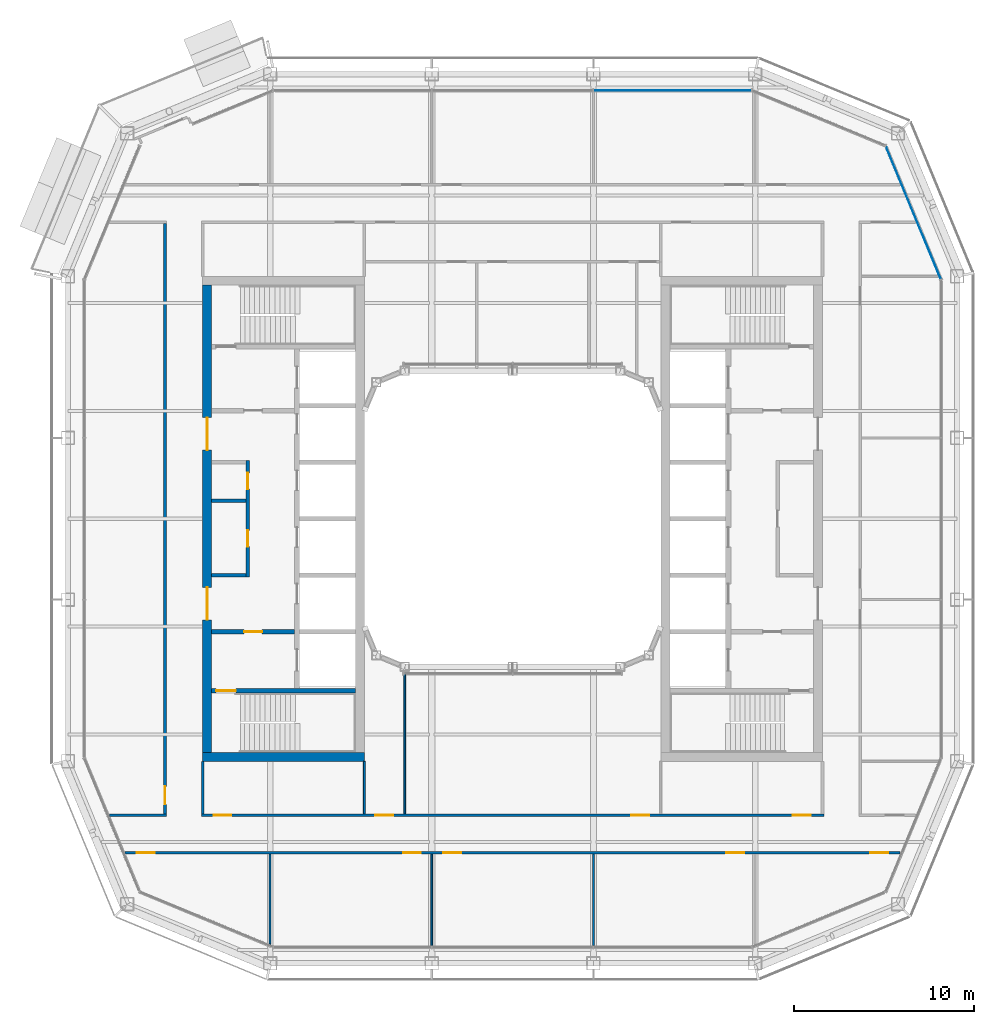
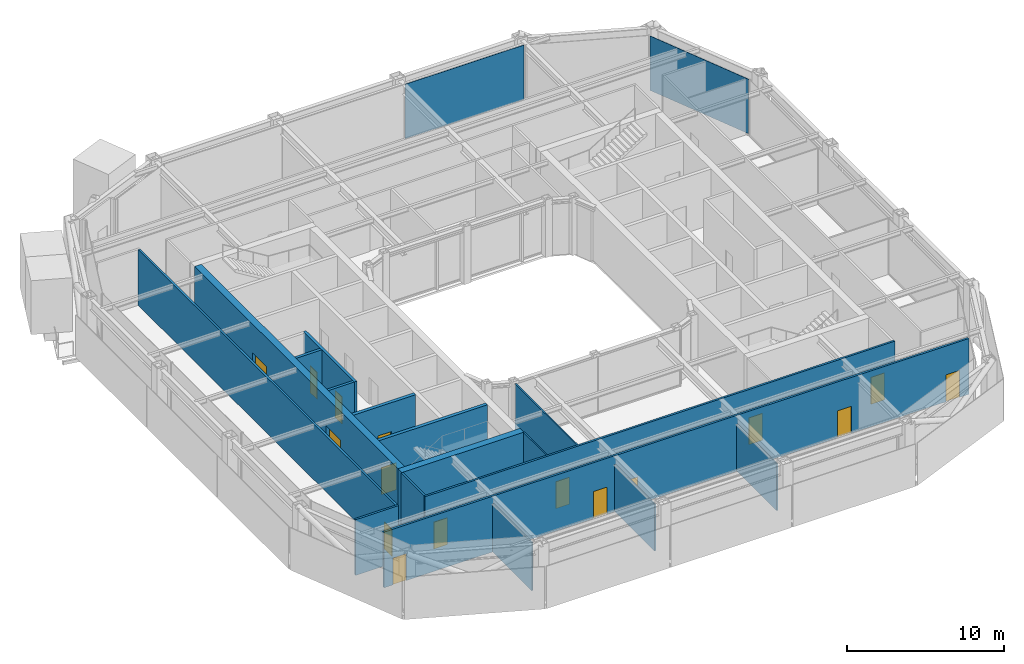
# One storey, part 11 of 21: 17 walls, 16 doors, 2 plates, 16 openings, 2 elements without a shape of their own.
"""IFC4 building model written with IfcOpenShell, lengths in metres."""

from ifc_helpers import new_model, si_unit, direction, frame, frame_2d, origin, origin_2d, place, context, subcontext, project, spatial, rectangle, extrude, material, layer, layer_set, type_object, element, fill, aggregate, save


model = new_model("IFC4")

# Units and contexts
model_context = context("Model", 3, precision=1e-05, world=origin(), true_north=direction((0.0, 1.0)))
body_context = subcontext(model_context, "Body", "Model", "MODEL_VIEW")
ifc_project = project(units=[si_unit("LENGTHUNIT", "METRE"), si_unit("AREAUNIT", "SQUARE_METRE"), si_unit("VOLUMEUNIT", "CUBIC_METRE"), si_unit("PLANEANGLEUNIT", "RADIAN"), si_unit("MASSUNIT", "GRAM", prefix="KILO")], contexts=[model_context])

# Site, building, storey
site_placement = place(None, origin())
site = spatial("IfcSite", under=ifc_project, at=site_placement, CompositionType="ELEMENT")
building_placement = place(site_placement, origin())
building = spatial("IfcBuilding", under=site, at=building_placement, Name="Siwar Civic Tower", CompositionType="ELEMENT")
storey_placement = place(building_placement, frame((0.0, 0.0, 294.199951171875)))
storey = spatial("IfcBuildingStorey", under=building, at=storey_placement, Name="L63", CompositionType="ELEMENT", Elevation=294.199951171875)

# Curtain wall, plate
ifc_material_1 = material(Name="Aluminium and glass", Category="aluminium")
ifc_layer_1 = layer(ifc_material_1, 0.159912109375)
ifc_layer_set_1 = layer_set([ifc_layer_1], Name="Aluminium and glass")
curtain_wall_type_1 = type_object("IfcCurtainWallType", Name="ENV-CW-D", PredefinedType="NOTDEFINED", material=ifc_layer_set_1)
curtain_wall_1_placement = place(storey_placement, origin())
curtain_wall_1 = element("IfcCurtainWall", 1, at=curtain_wall_1_placement, inside=storey, type_object=curtain_wall_type_1, Name="Curtain wall D N", PredefinedType="NOTDEFINED")
ifc_material_2 = material(Name="Glass clear laminated", Category="glass")
ifc_layer_2 = layer(ifc_material_2, 0.030029296875)
ifc_layer_set_2 = layer_set([ifc_layer_2], Name="Glass clear laminated")
plate_type_1 = type_object("IfcPlateType", Name="ENV-PANEL-D", PredefinedType="CURTAIN_PANEL", material=ifc_layer_set_2)
plate_1_placement = place(storey_placement, frame((8.910400390625, 23.85009765625, 0.10009765625), z_axis=(0.0, 0.0, 1.0), x_axis=(-1.0, 0.0, 0.0)))
plate_1 = element("IfcPlate", 2, at=plate_1_placement, type_object=plate_type_1, Name="Curtain panel D N 1", PredefinedType="CURTAIN_PANEL", context=body_context, shape_type="SweptSolid", body=[
    extrude(rectangle(XDim=8.760986328125, YDim=0.030029296875, at=origin_2d()), origin(), (0.0, 0.0, 1.0), 4.25),
])
aggregate(curtain_wall_1, [plate_1])

ifc_material_3 = material(Name="Aluminium clad insulated panel", Category="aluminium")
ifc_layer_3 = layer(ifc_material_3, 0.159912109375)
ifc_layer_set_3 = layer_set([ifc_layer_3], Name="Aluminium clad insulated panel")
curtain_wall_type_2 = type_object("IfcCurtainWallType", Name="ENV-CW-DX", PredefinedType="NOTDEFINED", material=ifc_layer_set_3)
curtain_wall_2_placement = place(storey_placement, origin())
curtain_wall_2 = element("IfcCurtainWall", 3, at=curtain_wall_2_placement, inside=storey, type_object=curtain_wall_type_2, Name="Curtain wall D NE1", PredefinedType="NOTDEFINED")
ifc_material_4 = material(Name="Aluminium clad insulated panel", Category="aluminium")
ifc_layer_4 = layer(ifc_material_4, 0.030029296875)
ifc_layer_set_4 = layer_set([ifc_layer_4], Name="Aluminium clad insulated panel")
plate_type_2 = type_object("IfcPlateType", Name="ENV-PANEL-DX", PredefinedType="CURTAIN_PANEL", material=ifc_layer_set_4)
plate_2_placement = place(storey_placement, frame((22.321044921875, 17.01220703125, 0.10009765625), z_axis=(0.0, 0.0, 1.0), x_axis=(-0.382683432365, 0.923879532511, 0.0)))
plate_2 = element("IfcPlate", 4, at=plate_2_placement, type_object=plate_type_2, Name="Curtain panel D NE1 1", PredefinedType="CURTAIN_PANEL", context=body_context, shape_type="SweptSolid", body=[
    extrude(rectangle(XDim=7.9306640625, YDim=0.030029296875, at=origin_2d()), origin(), (0.0, 0.0, 1.0), 4.25),
])
aggregate(curtain_wall_2, [plate_2])

# Wall, openings, doors
ifc_material_5 = material(Name="Gypsum board on steel studs", Category="steel")
ifc_layer_5 = layer(ifc_material_5, 0.199951171875)
ifc_layer_set_5 = layer_set([ifc_layer_5], Name="Gypsum board on steel studs")
wall_type_1 = type_object("IfcWallType", Name="CORE-PARTITION-200", PredefinedType="PARTITIONING", material=ifc_layer_set_5)
wall_1_placement = place(storey_placement, frame((-14.75, -3.25, 0.0), z_axis=(0.0, 0.0, 1.0), x_axis=(0.0, 1.0, 0.0)))
wall_1 = element("IfcWall", 5, at=wall_1_placement, inside=storey, type_object=wall_type_1, Name="Core partition W", PredefinedType="PARTITIONING", context=body_context, shape_type="SweptSolid", body=[
    extrude(rectangle(XDim=6.5, YDim=0.199951171875, at=frame_2d((3.25, 0.0))), origin(), (0.0, 0.0, 1.0), 4.35009765625),
])
opening_1_placement = place(wall_1_placement, frame((1.699951171875, 0.0, 0.0)))
opening_1 = element("IfcOpeningElement", 6, at=opening_1_placement, cuts=wall_1, Name="Opening L63-CW13", PredefinedType="OPENING", context=body_context, shape_type="SweptSolid", body=[
    extrude(rectangle(XDim=0.89990234375, YDim=2.10009765625, at=frame_2d((0.449951171875, 1.050048828125))), frame((0.0, 0.10986328125, 0.0), z_axis=(0.0, -1.0, 0.0), x_axis=(1.0, 0.0, 0.0)), (0.0, 0.0, 1.0), 0.219970703125),
])
opening_2_placement = place(wall_1_placement, frame((4.89990234375, 0.0, 0.0)))
opening_2 = element("IfcOpeningElement", 7, at=opening_2_placement, cuts=wall_1, Name="Opening L63-CW14", PredefinedType="OPENING", context=body_context, shape_type="SweptSolid", body=[
    extrude(rectangle(XDim=0.89990234375, YDim=2.10009765625, at=frame_2d((0.449951171875, 1.050048828125))), frame((0.0, 0.10986328125, 0.0), z_axis=(0.0, -1.0, 0.0), x_axis=(1.0, 0.0, 0.0)), (0.0, 0.0, 1.0), 0.219970703125),
])
ifc_material_6 = material(Name="Steel door leaf", Category="steel")
door_type_1 = type_object("IfcDoorType", Name="CORE-DOOR-ROOM", OperationType="SINGLE_SWING_LEFT", PredefinedType="DOOR", material=ifc_material_6)
door_1_placement = place(opening_1_placement, origin())
door_1 = element("IfcDoor", 8, at=door_1_placement, inside=storey, type_object=door_type_1, Name="Core room door L63-CW13", OperationType="SINGLE_SWING_RIGHT", OverallHeight=2.10009765625, OverallWidth=0.89990234375, PredefinedType="DOOR", context=body_context, shape_type="SweptSolid", body=[
    extrude(rectangle(XDim=0.89990234375, YDim=2.10009765625, at=frame_2d((0.449951171875, 1.050048828125))), frame((0.0, 0.02490234375, 0.0), z_axis=(0.0, -1.0, 0.0), x_axis=(1.0, 0.0, 0.0)), (0.0, 0.0, 1.0), 0.050048828125),
])
fill(opening_1, door_1)
door_2_placement = place(opening_2_placement, origin())
door_2 = element("IfcDoor", 9, at=door_2_placement, inside=storey, type_object=door_type_1, Name="Core room door L63-CW14", OperationType="SINGLE_SWING_LEFT", OverallHeight=2.10009765625, OverallWidth=0.89990234375, PredefinedType="DOOR", context=body_context, shape_type="SweptSolid", body=[
    extrude(rectangle(XDim=0.89990234375, YDim=2.10009765625, at=frame_2d((0.449951171875, 1.050048828125))), frame((0.0, 0.02490234375, 0.0), z_axis=(0.0, -1.0, 0.0), x_axis=(1.0, 0.0, 0.0)), (0.0, 0.0, 1.0), 0.050048828125),
])
fill(opening_2, door_2)

# Walls
for number, where, z_axis, x_axis, name in (
    (10, (-14.85009765625, -3.14990234375, 0.0), (0.0, 0.0, 1.0), (-1.0, 0.0, 0.0), "Core partition W"),
    (11, (-14.85009765625, 1.0, 0.0), (0.0, 0.0, 1.0), (-1.0, 0.0, 0.0), "Core partition W"),
):
    element("IfcWall", number, at=place(storey_placement, frame(where, z_axis=z_axis, x_axis=x_axis)), inside=storey, type_object=wall_type_1, Name=name, PredefinedType="PARTITIONING", context=body_context, shape_type="SweptSolid", body=[
        extrude(rectangle(XDim=1.89990234375, YDim=0.199951171875, at=frame_2d((0.949951171875, 0.0))), origin(), (0.0, 0.0, 1.0), 4.35009765625),
    ])

# Wall, opening, door
ifc_material_7 = material(Name="Concrete C60/75", Category="concrete")
ifc_layer_6 = layer(ifc_material_7, 0.25)
ifc_layer_set_6 = layer_set([ifc_layer_6], Name="Concrete C60/75")
wall_type_2 = type_object("IfcWallType", Name="CORE-WALL-RC250", PredefinedType="SHEAR", material=ifc_layer_set_6)
wall_2_placement = place(storey_placement, frame((-12.14990234375, -6.300048828125, 0.0), z_axis=(0.0, 0.0, 1.0), x_axis=(-1.0, 0.0, 0.0)))
wall_2 = element("IfcWall", 12, at=wall_2_placement, inside=storey, type_object=wall_type_2, Name="Core wall W", PredefinedType="SHEAR", context=body_context, shape_type="SweptSolid", body=[
    extrude(rectangle(XDim=4.60009765625, YDim=0.25, at=frame_2d((2.300048828125, 0.0))), origin(), (0.0, 0.0, 1.0), 4.35009765625),
])
opening_3_placement = place(wall_2_placement, frame((1.800048828125, 0.0, 0.0)))
opening_3 = element("IfcOpeningElement", 13, at=opening_3_placement, cuts=wall_2, Name="Opening L63-CW02", PredefinedType="OPENING", context=body_context, shape_type="SweptSolid", body=[
    extrude(rectangle(XDim=1.0, YDim=2.10009765625, at=frame_2d((0.5, 1.050048828125))), frame((0.0, 0.135009765625, 0.0), z_axis=(0.0, -1.0, 0.0), x_axis=(1.0, 0.0, 0.0)), (0.0, 0.0, 1.0), 0.27001953125),
])
ifc_material_8 = material(Name="Steel door leaf", Category="steel")
door_type_2 = type_object("IfcDoorType", Name="CORE-DOOR-FD30S", OperationType="SINGLE_SWING_LEFT", PredefinedType="DOOR", material=ifc_material_8)
door_3_placement = place(opening_3_placement, origin())
door_3 = element("IfcDoor", 14, at=door_3_placement, inside=storey, type_object=door_type_2, Name="Service lobby door L63-CW02", OperationType="SINGLE_SWING_RIGHT", OverallHeight=2.10009765625, OverallWidth=1.0, PredefinedType="DOOR", context=body_context, shape_type="SweptSolid", body=[
    extrude(rectangle(XDim=1.0, YDim=2.10009765625, at=frame_2d((0.5, 1.050048828125))), frame((0.0, 0.02490234375, 0.0), z_axis=(0.0, -1.0, 0.0), x_axis=(1.0, 0.0, 0.0)), (0.0, 0.0, 1.0), 0.050048828125),
])
fill(opening_3, door_3)

wall_3_placement = place(storey_placement, frame((-8.75, -9.574951171875, 0.0), z_axis=(0.0, 0.0, 1.0), x_axis=(-1.0, 0.0, 0.0)))
wall_3 = element("IfcWall", 15, at=wall_3_placement, inside=storey, type_object=wall_type_2, Name="Core wall W", PredefinedType="SHEAR", context=body_context, shape_type="SweptSolid", body=[
    extrude(rectangle(XDim=8.0, YDim=0.25, at=frame_2d((4.0, 0.0))), origin(), (0.0, 0.0, 1.0), 4.35009765625),
])
opening_4_placement = place(wall_3_placement, frame((6.64990234375, 0.0, 0.0)))
opening_4 = element("IfcOpeningElement", 16, at=opening_4_placement, cuts=wall_3, Name="Opening L63-CW04", PredefinedType="OPENING", context=body_context, shape_type="SweptSolid", body=[
    extrude(rectangle(XDim=1.10009765625, YDim=2.10009765625, at=frame_2d((0.550048828125, 1.050048828125))), frame((0.0, 0.135009765625, 0.0), z_axis=(0.0, -1.0, 0.0), x_axis=(1.0, 0.0, 0.0)), (0.0, 0.0, 1.0), 0.27001953125),
])
ifc_material_9 = material(Name="Steel door leaf", Category="steel")
door_type_3 = type_object("IfcDoorType", Name="CORE-DOOR-FD60S", OperationType="SINGLE_SWING_LEFT", PredefinedType="DOOR", material=ifc_material_9)
door_4_placement = place(opening_4_placement, origin())
door_4 = element("IfcDoor", 17, at=door_4_placement, inside=storey, type_object=door_type_3, Name="Stair door L63-CW04", OperationType="SINGLE_SWING_LEFT", OverallHeight=2.10009765625, OverallWidth=1.10009765625, PredefinedType="DOOR", context=body_context, shape_type="SweptSolid", body=[
    extrude(rectangle(XDim=1.10009765625, YDim=2.10009765625, at=frame_2d((0.550048828125, 1.050048828125))), frame((0.0, 0.02490234375, 0.0), z_axis=(0.0, -1.0, 0.0), x_axis=(1.0, 0.0, 0.0)), (0.0, 0.0, 1.0), 0.050048828125),
])
fill(opening_4, door_4)

# Wall, openings, doors
ifc_material_10 = material(Name="Concrete C60/75", Category="concrete")
ifc_layer_7 = layer(ifc_material_10, 0.5)
ifc_layer_set_7 = layer_set([ifc_layer_7], Name="Concrete C60/75")
wall_type_3 = type_object("IfcWallType", Name="CORE-WALL-RC500", PredefinedType="SHEAR", material=ifc_layer_set_7)
wall_4_placement = place(storey_placement, frame((-17.0, -13.0, 0.0), z_axis=(0.0, 0.0, 1.0), x_axis=(0.0, 1.0, 0.0)))
wall_4 = element("IfcWall", 18, at=wall_4_placement, inside=storey, type_object=wall_type_3, Name="Core wall W", PredefinedType="SHEAR", context=body_context, shape_type="SweptSolid", body=[
    extrude(rectangle(XDim=26.0, YDim=0.5, at=frame_2d((13.0, 0.0))), origin(), (0.0, 0.0, 1.0), 4.35009765625),
])
opening_5_placement = place(wall_4_placement, frame((16.824951171875, 0.0, 0.0)))
opening_5 = element("IfcOpeningElement", 19, at=opening_5_placement, cuts=wall_4, Name="Opening L63-CW05", PredefinedType="OPENING", context=body_context, shape_type="SweptSolid", body=[
    extrude(rectangle(XDim=1.800048828125, YDim=2.10009765625, at=frame_2d((0.89990234375, 1.050048828125))), frame((0.0, 0.260009765625, 0.0), z_axis=(0.0, -1.0, 0.0), x_axis=(1.0, 0.0, 0.0)), (0.0, 0.0, 1.0), 0.52001953125),
])
opening_6_placement = place(wall_4_placement, frame((7.375, 0.0, 0.0)))
opening_6 = element("IfcOpeningElement", 20, at=opening_6_placement, cuts=wall_4, Name="Opening L63-CW06", PredefinedType="OPENING", context=body_context, shape_type="SweptSolid", body=[
    extrude(rectangle(XDim=1.800048828125, YDim=2.10009765625, at=frame_2d((0.89990234375, 1.050048828125))), frame((0.0, 0.260009765625, 0.0), z_axis=(0.0, -1.0, 0.0), x_axis=(1.0, 0.0, 0.0)), (0.0, 0.0, 1.0), 0.52001953125),
])
ifc_material_11 = material(Name="Steel door leaf", Category="steel")
door_type_4 = type_object("IfcDoorType", Name="CORE-DOOR-PORT", OperationType="DOUBLE_DOOR_DOUBLE_SWING", PredefinedType="DOOR", material=ifc_material_11)
door_5_placement = place(opening_5_placement, origin())
door_5 = element("IfcDoor", 21, at=door_5_placement, inside=storey, type_object=door_type_4, Name="Core entrance door L63-CW05", OperationType="DOUBLE_DOOR_DOUBLE_SWING", OverallHeight=2.10009765625, OverallWidth=1.800048828125, PredefinedType="DOOR", context=body_context, shape_type="SweptSolid", body=[
    extrude(rectangle(XDim=1.800048828125, YDim=2.10009765625, at=frame_2d((0.89990234375, 1.050048828125))), frame((0.0, 0.02490234375, 0.0), z_axis=(0.0, -1.0, 0.0), x_axis=(1.0, 0.0, 0.0)), (0.0, 0.0, 1.0), 0.050048828125),
])
fill(opening_5, door_5)
door_6_placement = place(opening_6_placement, origin())
door_6 = element("IfcDoor", 22, at=door_6_placement, inside=storey, type_object=door_type_4, Name="Core entrance door L63-CW06", OperationType="DOUBLE_DOOR_DOUBLE_SWING", OverallHeight=2.10009765625, OverallWidth=1.800048828125, PredefinedType="DOOR", context=body_context, shape_type="SweptSolid", body=[
    extrude(rectangle(XDim=1.800048828125, YDim=2.10009765625, at=frame_2d((0.89990234375, 1.050048828125))), frame((0.0, 0.02490234375, 0.0), z_axis=(0.0, -1.0, 0.0), x_axis=(1.0, 0.0, 0.0)), (0.0, 0.0, 1.0), 0.050048828125),
])
fill(opening_6, door_6)

# Wall
wall_5_placement = place(storey_placement, frame((-8.25, -13.25, 0.0), z_axis=(0.0, 0.0, 1.0), x_axis=(-1.0, 0.0, 0.0)))
element("IfcWall", 23, at=wall_5_placement, inside=storey, type_object=wall_type_3, Name="Core wall W", PredefinedType="SHEAR", context=body_context, shape_type="SweptSolid", body=[
    extrude(rectangle(XDim=9.0, YDim=0.5, at=frame_2d((4.5, 0.0))), origin(), (0.0, 0.0, 1.0), 4.35009765625),
])

# Wall, openings, doors
ifc_material_12 = material(Name="Gypsum board on steel studs", Category="steel")
ifc_layer_8 = layer(ifc_material_12, 0.14990234375)
ifc_layer_set_8 = layer_set([ifc_layer_8], Name="Gypsum board on steel studs")
wall_type_4 = type_object("IfcWallType", Name="CORRIDOR PARTITION 150 EI 30", PredefinedType="PARTITIONING", material=ifc_layer_set_8)
wall_6_placement = place(storey_placement, frame((-21.56591796875, -18.60009765625, 0.0), z_axis=(0.0, 0.0, 1.0), x_axis=(1.0, 0.0, 0.0)))
wall_6 = element("IfcWall", 24, at=wall_6_placement, inside=storey, type_object=wall_type_4, Name="L63/wall/P01", PredefinedType="PARTITIONING", context=body_context, shape_type="SweptSolid", body=[
    extrude(rectangle(XDim=43.1318359375, YDim=0.14990234375, at=frame_2d((21.56591796875, 0.0))), origin(), (0.0, 0.0, 1.0), 4.35009765625),
])
opening_7_placement = place(wall_6_placement, frame((15.466064453125, 0.0, 0.0)))
opening_7 = element("IfcOpeningElement", 25, at=opening_7_placement, cuts=wall_6, Name="Opening D1", PredefinedType="OPENING", context=body_context, shape_type="SweptSolid", body=[
    extrude(rectangle(XDim=1.0, YDim=2.10009765625, at=frame_2d((0.5, 1.050048828125))), frame((0.0, 0.0849609375, 0.0), z_axis=(0.0, -1.0, 0.0), x_axis=(1.0, 0.0, 0.0)), (0.0, 0.0, 1.0), 0.169921875),
])
opening_8_placement = place(wall_6_placement, frame((17.716064453125, 0.0, 0.0)))
opening_8 = element("IfcOpeningElement", 26, at=opening_8_placement, cuts=wall_6, Name="Opening D1", PredefinedType="OPENING", context=body_context, shape_type="SweptSolid", body=[
    extrude(rectangle(XDim=1.0, YDim=2.10009765625, at=frame_2d((0.5, 1.050048828125))), frame((0.0, 0.0849609375, 0.0), z_axis=(0.0, -1.0, 0.0), x_axis=(1.0, 0.0, 0.0)), (0.0, 0.0, 1.0), 0.169921875),
])
opening_9_placement = place(wall_6_placement, frame((33.466064453125, 0.0, 0.0)))
opening_9 = element("IfcOpeningElement", 27, at=opening_9_placement, cuts=wall_6, Name="Opening D1", PredefinedType="OPENING", context=body_context, shape_type="SweptSolid", body=[
    extrude(rectangle(XDim=1.0, YDim=2.10009765625, at=frame_2d((0.5, 1.050048828125))), frame((0.0, 0.0849609375, 0.0), z_axis=(0.0, -1.0, 0.0), x_axis=(1.0, 0.0, 0.0)), (0.0, 0.0, 1.0), 0.169921875),
])
opening_10_placement = place(wall_6_placement, frame((0.64990234375, 0.0, 0.0)))
opening_10 = element("IfcOpeningElement", 28, at=opening_10_placement, cuts=wall_6, Name="Opening D1", PredefinedType="OPENING", context=body_context, shape_type="SweptSolid", body=[
    extrude(rectangle(XDim=1.0, YDim=2.10009765625, at=frame_2d((0.5, 1.050048828125))), frame((0.0, 0.0849609375, 0.0), z_axis=(0.0, -1.0, 0.0), x_axis=(1.0, 0.0, 0.0)), (0.0, 0.0, 1.0), 0.169921875),
])
opening_11_placement = place(wall_6_placement, frame((41.466064453125, 0.0, 0.0)))
opening_11 = element("IfcOpeningElement", 29, at=opening_11_placement, cuts=wall_6, Name="Opening D1", PredefinedType="OPENING", context=body_context, shape_type="SweptSolid", body=[
    extrude(rectangle(XDim=1.0, YDim=2.10009765625, at=frame_2d((0.5, 1.050048828125))), frame((0.0, 0.0849609375, 0.0), z_axis=(0.0, -1.0, 0.0), x_axis=(1.0, 0.0, 0.0)), (0.0, 0.0, 1.0), 0.169921875),
])
ifc_material_13 = material(Name="Timber, painted", Category="wood")
door_type_5 = type_object("IfcDoorType", Name="DOOR 1000 X 2100 FD30", OperationType="SINGLE_SWING_LEFT", PredefinedType="DOOR", material=ifc_material_13)
door_7_placement = place(opening_7_placement, origin())
door_7 = element("IfcDoor", 30, at=door_7_placement, inside=storey, type_object=door_type_5, Name="L63-D04", OperationType="SINGLE_SWING_RIGHT", OverallHeight=2.10009765625, OverallWidth=1.0, PredefinedType="DOOR", context=body_context, shape_type="SweptSolid", body=[
    extrude(rectangle(XDim=1.0, YDim=2.10009765625, at=frame_2d((0.5, 1.050048828125))), frame((0.0, 0.02490234375, 0.0), z_axis=(0.0, -1.0, 0.0), x_axis=(1.0, 0.0, 0.0)), (0.0, 0.0, 1.0), 0.050048828125),
])
fill(opening_7, door_7)
door_8_placement = place(opening_8_placement, origin())
door_8 = element("IfcDoor", 31, at=door_8_placement, inside=storey, type_object=door_type_5, Name="L63-D05", OperationType="SINGLE_SWING_LEFT", OverallHeight=2.10009765625, OverallWidth=1.0, PredefinedType="DOOR", context=body_context, shape_type="SweptSolid", body=[
    extrude(rectangle(XDim=1.0, YDim=2.10009765625, at=frame_2d((0.5, 1.050048828125))), frame((0.0, 0.02490234375, 0.0), z_axis=(0.0, -1.0, 0.0), x_axis=(1.0, 0.0, 0.0)), (0.0, 0.0, 1.0), 0.050048828125),
])
fill(opening_8, door_8)
door_9_placement = place(opening_9_placement, origin())
door_9 = element("IfcDoor", 32, at=door_9_placement, inside=storey, type_object=door_type_5, Name="L63-D06", OperationType="SINGLE_SWING_RIGHT", OverallHeight=2.10009765625, OverallWidth=1.0, PredefinedType="DOOR", context=body_context, shape_type="SweptSolid", body=[
    extrude(rectangle(XDim=1.0, YDim=2.10009765625, at=frame_2d((0.5, 1.050048828125))), frame((0.0, 0.02490234375, 0.0), z_axis=(0.0, -1.0, 0.0), x_axis=(1.0, 0.0, 0.0)), (0.0, 0.0, 1.0), 0.050048828125),
])
fill(opening_9, door_9)
door_10_placement = place(opening_10_placement, origin())
door_10 = element("IfcDoor", 33, at=door_10_placement, inside=storey, type_object=door_type_5, Name="L63-D09", OperationType="SINGLE_SWING_LEFT", OverallHeight=2.10009765625, OverallWidth=1.0, PredefinedType="DOOR", context=body_context, shape_type="SweptSolid", body=[
    extrude(rectangle(XDim=1.0, YDim=2.10009765625, at=frame_2d((0.5, 1.050048828125))), frame((0.0, 0.02490234375, 0.0), z_axis=(0.0, -1.0, 0.0), x_axis=(1.0, 0.0, 0.0)), (0.0, 0.0, 1.0), 0.050048828125),
])
fill(opening_10, door_10)
door_11_placement = place(opening_11_placement, origin())
door_11 = element("IfcDoor", 34, at=door_11_placement, inside=storey, type_object=door_type_5, Name="L63-D10", OperationType="SINGLE_SWING_RIGHT", OverallHeight=2.10009765625, OverallWidth=1.0, PredefinedType="DOOR", context=body_context, shape_type="SweptSolid", body=[
    extrude(rectangle(XDim=1.0, YDim=2.10009765625, at=frame_2d((0.5, 1.050048828125))), frame((0.0, 0.02490234375, 0.0), z_axis=(0.0, -1.0, 0.0), x_axis=(1.0, 0.0, 0.0)), (0.0, 0.0, 1.0), 0.050048828125),
])
fill(opening_11, door_11)

# Wall
wall_7_placement = place(storey_placement, frame((-22.43603515625, -16.5, 0.0), z_axis=(0.0, 0.0, 1.0), x_axis=(1.0, 0.0, 0.0)))
element("IfcWall", 35, at=wall_7_placement, inside=storey, type_object=wall_type_4, Name="L63/wall/P02", PredefinedType="PARTITIONING", context=body_context, shape_type="SweptSolid", body=[
    extrude(rectangle(XDim=3.1611328125, YDim=0.14990234375, at=frame_2d((1.58056640625, 0.0))), origin(), (0.0, 0.0, 1.0), 4.35009765625),
])

# Wall, openings, doors
wall_8_placement = place(storey_placement, frame((-17.324951171875, -16.5, 0.0), z_axis=(0.0, 0.0, 1.0), x_axis=(1.0, 0.0, 0.0)))
wall_8 = element("IfcWall", 36, at=wall_8_placement, inside=storey, type_object=wall_type_4, Name="L63/wall/P03", PredefinedType="PARTITIONING", context=body_context, shape_type="SweptSolid", body=[
    extrude(rectangle(XDim=34.64990234375, YDim=0.14990234375, at=frame_2d((17.324951171875, 0.0))), origin(), (0.0, 0.0, 1.0), 4.35009765625),
])
opening_12_placement = place(wall_8_placement, frame((9.675048828125, 0.0, 0.0)))
opening_12 = element("IfcOpeningElement", 37, at=opening_12_placement, cuts=wall_8, Name="Opening D3", PredefinedType="OPENING", context=body_context, shape_type="SweptSolid", body=[
    extrude(rectangle(XDim=1.0, YDim=2.10009765625, at=frame_2d((0.5, 1.050048828125))), frame((0.0, 0.0849609375, 0.0), z_axis=(0.0, -1.0, 0.0), x_axis=(1.0, 0.0, 0.0)), (0.0, 0.0, 1.0), 0.169921875),
])
opening_13_placement = place(wall_8_placement, frame((23.925048828125, 0.0, 0.0)))
opening_13 = element("IfcOpeningElement", 38, at=opening_13_placement, cuts=wall_8, Name="Opening D1", PredefinedType="OPENING", context=body_context, shape_type="SweptSolid", body=[
    extrude(rectangle(XDim=1.0, YDim=2.10009765625, at=frame_2d((0.5, 1.050048828125))), frame((0.0, 0.0849609375, 0.0), z_axis=(0.0, -1.0, 0.0), x_axis=(1.0, 0.0, 0.0)), (0.0, 0.0, 1.0), 0.169921875),
])
opening_14_placement = place(wall_8_placement, frame((0.675048828125, 0.0, 0.0)))
opening_14 = element("IfcOpeningElement", 39, at=opening_14_placement, cuts=wall_8, Name="Opening D1", PredefinedType="OPENING", context=body_context, shape_type="SweptSolid", body=[
    extrude(rectangle(XDim=1.0, YDim=2.10009765625, at=frame_2d((0.5, 1.050048828125))), frame((0.0, 0.0849609375, 0.0), z_axis=(0.0, -1.0, 0.0), x_axis=(1.0, 0.0, 0.0)), (0.0, 0.0, 1.0), 0.169921875),
])
opening_15_placement = place(wall_8_placement, frame((32.925048828125, 0.0, 0.0)))
opening_15 = element("IfcOpeningElement", 40, at=opening_15_placement, cuts=wall_8, Name="Opening D1", PredefinedType="OPENING", context=body_context, shape_type="SweptSolid", body=[
    extrude(rectangle(XDim=1.0, YDim=2.10009765625, at=frame_2d((0.5, 1.050048828125))), frame((0.0, 0.0849609375, 0.0), z_axis=(0.0, -1.0, 0.0), x_axis=(1.0, 0.0, 0.0)), (0.0, 0.0, 1.0), 0.169921875),
])
door_12_placement = place(opening_13_placement, origin())
door_12 = element("IfcDoor", 41, at=door_12_placement, inside=storey, type_object=door_type_5, Name="L63-D17", OperationType="SINGLE_SWING_LEFT", OverallHeight=2.10009765625, OverallWidth=1.0, PredefinedType="DOOR", context=body_context, shape_type="SweptSolid", body=[
    extrude(rectangle(XDim=1.0, YDim=2.10009765625, at=frame_2d((0.5, 1.050048828125))), frame((0.0, 0.02490234375, 0.0), z_axis=(0.0, -1.0, 0.0), x_axis=(1.0, 0.0, 0.0)), (0.0, 0.0, 1.0), 0.050048828125),
])
fill(opening_13, door_12)
door_13_placement = place(opening_14_placement, origin())
door_13 = element("IfcDoor", 42, at=door_13_placement, inside=storey, type_object=door_type_5, Name="L63-D20", OperationType="SINGLE_SWING_RIGHT", OverallHeight=2.10009765625, OverallWidth=1.0, PredefinedType="DOOR", context=body_context, shape_type="SweptSolid", body=[
    extrude(rectangle(XDim=1.0, YDim=2.10009765625, at=frame_2d((0.5, 1.050048828125))), frame((0.0, 0.02490234375, 0.0), z_axis=(0.0, -1.0, 0.0), x_axis=(1.0, 0.0, 0.0)), (0.0, 0.0, 1.0), 0.050048828125),
])
fill(opening_14, door_13)
door_14_placement = place(opening_15_placement, origin())
door_14 = element("IfcDoor", 43, at=door_14_placement, inside=storey, type_object=door_type_5, Name="L63-D21", OperationType="SINGLE_SWING_LEFT", OverallHeight=2.10009765625, OverallWidth=1.0, PredefinedType="DOOR", context=body_context, shape_type="SweptSolid", body=[
    extrude(rectangle(XDim=1.0, YDim=2.10009765625, at=frame_2d((0.5, 1.050048828125))), frame((0.0, 0.02490234375, 0.0), z_axis=(0.0, -1.0, 0.0), x_axis=(1.0, 0.0, 0.0)), (0.0, 0.0, 1.0), 0.050048828125),
])
fill(opening_15, door_14)
ifc_material_14 = material(Name="Timber, painted", Category="wood")
door_type_6 = type_object("IfcDoorType", Name="DOOR 1000 X 2100 WC", OperationType="SINGLE_SWING_LEFT", PredefinedType="DOOR", material=ifc_material_14)
door_15_placement = place(opening_12_placement, origin())
door_15 = element("IfcDoor", 44, at=door_15_placement, inside=storey, type_object=door_type_6, Name="L63-D16", OperationType="SINGLE_SWING_RIGHT", OverallHeight=2.10009765625, OverallWidth=1.0, PredefinedType="DOOR", context=body_context, shape_type="SweptSolid", body=[
    extrude(rectangle(XDim=1.0, YDim=2.10009765625, at=frame_2d((0.5, 1.050048828125))), frame((0.0, 0.02490234375, 0.0), z_axis=(0.0, -1.0, 0.0), x_axis=(1.0, 0.0, 0.0)), (0.0, 0.0, 1.0), 0.050048828125),
])
fill(opening_12, door_15)

# Wall, opening, door
wall_9_placement = place(storey_placement, frame((-19.35009765625, -16.425048828125, 0.0), z_axis=(0.0, 0.0, 1.0), x_axis=(0.0, 1.0, 0.0)))
wall_9 = element("IfcWall", 45, at=wall_9_placement, inside=storey, type_object=wall_type_4, Name="L63/wall/P15", PredefinedType="PARTITIONING", context=body_context, shape_type="SweptSolid", body=[
    extrude(rectangle(XDim=32.85009765625, YDim=0.14990234375, at=frame_2d((16.425048828125, 0.0))), origin(), (0.0, 0.0, 1.0), 4.35009765625),
])
opening_16_placement = place(wall_9_placement, frame((0.52490234375, 0.0, 0.0)))
opening_16 = element("IfcOpeningElement", 46, at=opening_16_placement, cuts=wall_9, Name="Opening D1", PredefinedType="OPENING", context=body_context, shape_type="SweptSolid", body=[
    extrude(rectangle(XDim=1.0, YDim=2.10009765625, at=frame_2d((0.5, 1.050048828125))), frame((0.0, 0.0849609375, 0.0), z_axis=(0.0, -1.0, 0.0), x_axis=(1.0, 0.0, 0.0)), (0.0, 0.0, 1.0), 0.169921875),
])
door_16_placement = place(opening_16_placement, origin())
door_16 = element("IfcDoor", 47, at=door_16_placement, inside=storey, type_object=door_type_5, Name="L63-D22", OperationType="SINGLE_SWING_RIGHT", OverallHeight=2.10009765625, OverallWidth=1.0, PredefinedType="DOOR", context=body_context, shape_type="SweptSolid", body=[
    extrude(rectangle(XDim=1.0, YDim=2.10009765625, at=frame_2d((0.5, 1.050048828125))), frame((0.0, 0.02490234375, 0.0), z_axis=(0.0, -1.0, 0.0), x_axis=(1.0, 0.0, 0.0)), (0.0, 0.0, 1.0), 0.050048828125),
])
fill(opening_16, door_16)

# Walls
wall_10_placement = place(storey_placement, frame((-17.25, -16.425048828125, 0.0), z_axis=(0.0, 0.0, 1.0), x_axis=(0.0, 1.0, 0.0)))
element("IfcWall", 48, at=wall_10_placement, inside=storey, type_object=wall_type_4, Name="L63/wall/P16", PredefinedType="PARTITIONING", context=body_context, shape_type="SweptSolid", body=[
    extrude(rectangle(XDim=2.925048828125, YDim=0.14990234375, at=frame_2d((1.46240234375, 0.0))), origin(), (0.0, 0.0, 1.0), 4.35009765625),
])
ifc_material_15 = material(Name="Gypsum board on steel studs", Category="steel")
ifc_layer_9 = layer(ifc_material_15, 0.10009765625)
ifc_layer_set_9 = layer_set([ifc_layer_9], Name="Gypsum board on steel studs")
wall_type_5 = type_object("IfcWallType", Name="PARTITION 100 GYPSUM", PredefinedType="PARTITIONING", material=ifc_layer_set_9)
wall_11_placement = place(storey_placement, frame((-13.5, -23.677978515625, 0.0), z_axis=(0.0, 0.0, 1.0), x_axis=(0.0, 1.0, 0.0)))
element("IfcWall", 49, at=wall_11_placement, inside=storey, type_object=wall_type_5, Name="L63/wall/P18", PredefinedType="PARTITIONING", context=body_context, shape_type="SweptSolid", body=[
    extrude(rectangle(XDim=5.0029296875, YDim=0.10009765625, at=frame_2d((2.50146484375, 0.0))), origin(), (0.0, 0.0, 1.0), 3.75),
])
wall_12_placement = place(storey_placement, frame((-8.25, -16.425048828125, 0.0), z_axis=(0.0, 0.0, 1.0), x_axis=(0.0, 1.0, 0.0)))
element("IfcWall", 50, at=wall_12_placement, inside=storey, type_object=wall_type_5, Name="L63/wall/P20", PredefinedType="PARTITIONING", context=body_context, shape_type="SweptSolid", body=[
    extrude(rectangle(XDim=2.925048828125, YDim=0.10009765625, at=frame_2d((1.46240234375, 0.0))), origin(), (0.0, 0.0, 1.0), 4.35009765625),
])
wall_13_placement = place(storey_placement, frame((-6.0, -16.425048828125, 0.0), z_axis=(0.0, 0.0, 1.0), x_axis=(0.0, 1.0, 0.0)))
element("IfcWall", 51, at=wall_13_placement, inside=storey, type_object=wall_type_5, Name="L63/wall/P22", PredefinedType="PARTITIONING", context=body_context, shape_type="SweptSolid", body=[
    extrude(rectangle(XDim=7.875, YDim=0.10009765625, at=frame_2d((3.9375, 0.0))), origin(), (0.0, 0.0, 1.0), 4.35009765625),
])
for number, where, z_axis, x_axis, name in (
    (52, (-4.5, -23.760009765625, 0.0), (0.0, 0.0, 1.0), (0.0, 1.0, 0.0), "L63/wall/P23"),
    (53, (4.5, -23.760009765625, 0.0), (0.0, 0.0, 1.0), (0.0, 1.0, 0.0), "L63/wall/P27"),
):
    element("IfcWall", number, at=place(storey_placement, frame(where, z_axis=z_axis, x_axis=x_axis)), inside=storey, type_object=wall_type_5, Name=name, PredefinedType="PARTITIONING", context=body_context, shape_type="SweptSolid", body=[
        extrude(rectangle(XDim=5.0849609375, YDim=0.10009765625, at=frame_2d((2.54248046875, 0.0))), origin(), (0.0, 0.0, 1.0), 3.650146484375),
    ])

save(model, "model.ifc")
